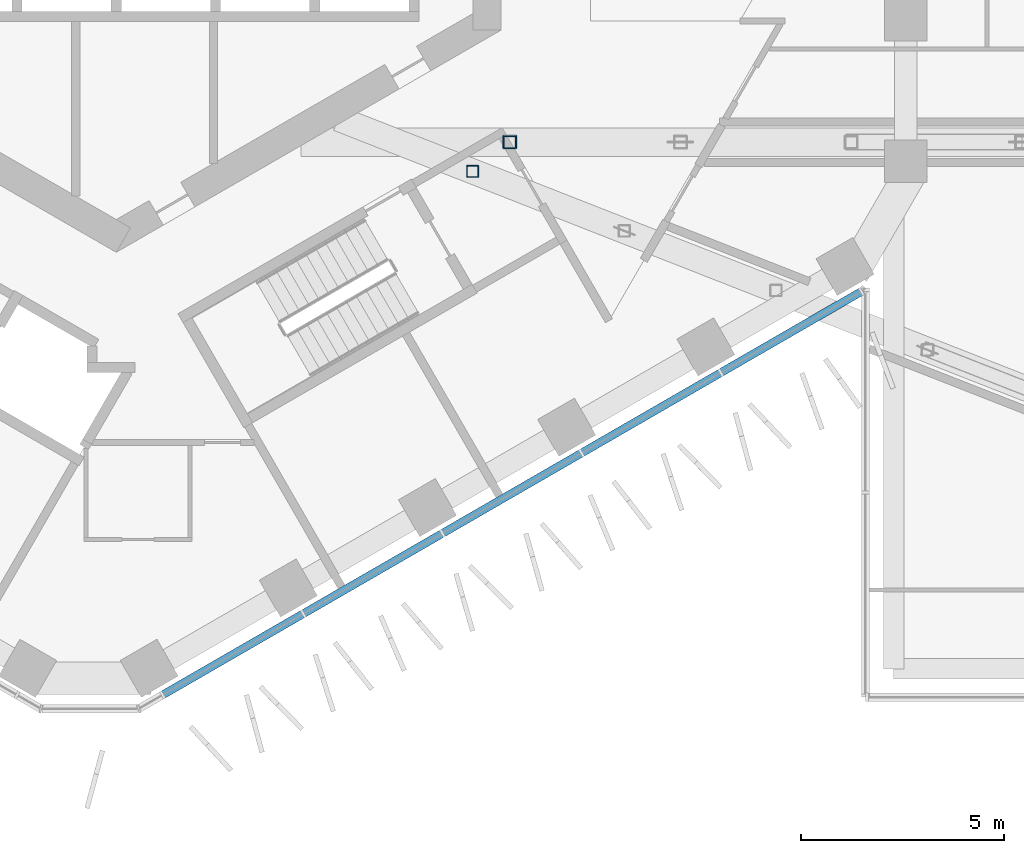
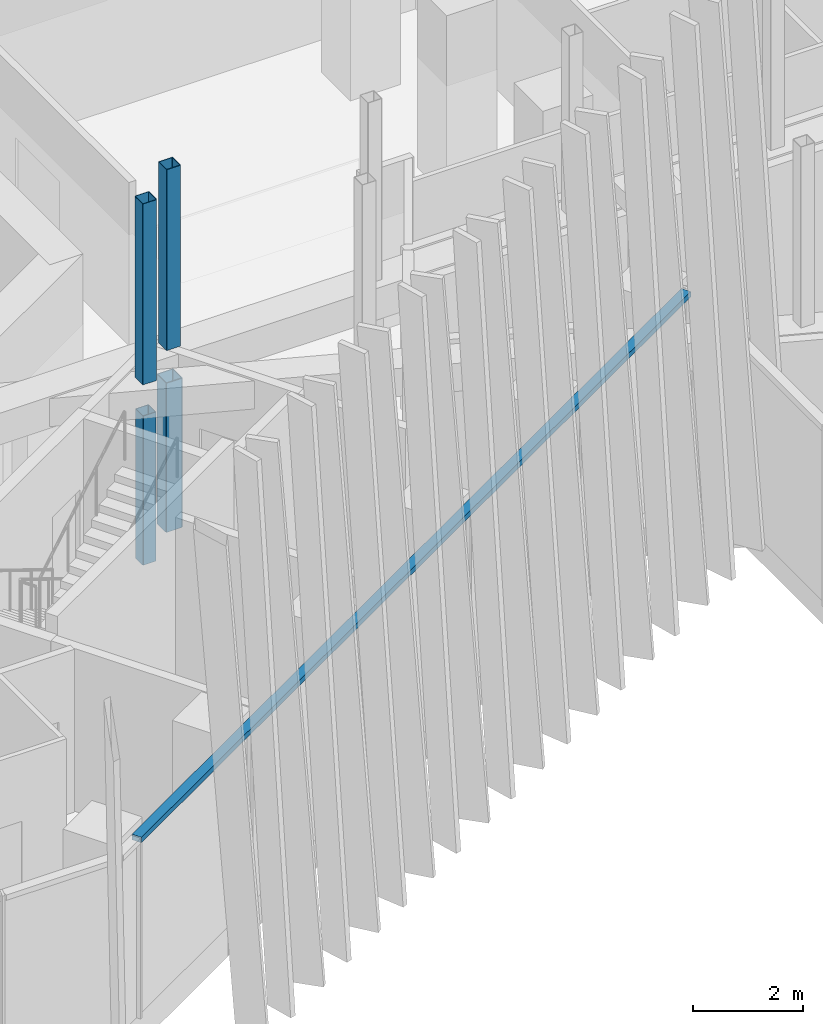
# One storey, part 3 of 28: 5 members, 1 element without a shape of its own.
"""IFC4 building model written with IfcOpenShell, lengths in metres."""

from ifc_helpers import new_model, si_unit, direction, frame, origin, origin_2d, place, context, subcontext, project, spatial, rectangle, hollow_rectangle, extrude, material, layer, layer_set, material_profile, profile_set, type_object, element, aggregate, save


model = new_model("IFC4")

# Units and contexts
model_context = context("Model", 3, precision=1e-05, world=origin(), true_north=direction((0.0, 1.0)))
body_context = subcontext(model_context, "Body", "Model", "MODEL_VIEW")
ifc_project = project(units=[si_unit("LENGTHUNIT", "METRE"), si_unit("AREAUNIT", "SQUARE_METRE"), si_unit("VOLUMEUNIT", "CUBIC_METRE"), si_unit("PLANEANGLEUNIT", "RADIAN"), si_unit("MASSUNIT", "GRAM", prefix="KILO")], contexts=[model_context])

# Site, building, storey
site_placement = place(None, origin())
site = spatial("IfcSite", under=ifc_project, at=site_placement, CompositionType="ELEMENT")
building_placement = place(site_placement, origin())
building = spatial("IfcBuilding", under=site, at=building_placement, Name="Ayvan Gate Tower", CompositionType="ELEMENT")
storey_placement = place(building_placement, frame((0.0, 0.0, 120.5)))
storey = spatial("IfcBuildingStorey", under=building, at=storey_placement, Name="L32", CompositionType="ELEMENT", Elevation=120.5)

# Members
ifc_material_1 = material(Name="Steel S460NH", Category="steel")
ifc_material_profile_1 = material_profile(ifc_material_1, hollow_rectangle(XDim=0.280029296875, YDim=0.280029296875, WallThickness=0.012451171875, InnerFilletRadius=0.012451171875, OuterFilletRadius=0.018798828125, at=origin_2d()), Name="RHS 280x280x12.5")
ifc_profile_set_1 = profile_set([ifc_material_profile_1], Name="Steel S460NH")
member_type_1 = type_object("IfcMemberType", Name="Sky bar end truss post B2 RHS 280x280x12.5", PredefinedType="POST", material=ifc_profile_set_1)
member_1_placement = place(storey_placement, frame((8.79541015625, -8.9736328125, -0.39990234375), z_axis=(0.0, 0.0, 1.0), x_axis=(1.0, 0.0, 0.0)))
element("IfcMember", 1, at=member_1_placement, inside=storey, type_object=member_type_1, Name="SBT2-1-P-1", PredefinedType="POST", context=body_context, shape_type="SweptSolid", body=[
    extrude(hollow_rectangle(XDim=0.280029296875, YDim=0.280029296875, WallThickness=0.012451171875, InnerFilletRadius=0.012451171875, OuterFilletRadius=0.018798828125, at=origin_2d()), origin(), (0.0, 0.0, 1.0), 3.2998046875),
])
ifc_material_profile_2 = material_profile(ifc_material_1, hollow_rectangle(XDim=0.35009765625, YDim=0.35009765625, WallThickness=0.01611328125, InnerFilletRadius=0.01611328125, OuterFilletRadius=0.02392578125, at=origin_2d()), Name="RHS 350x350x16")
ifc_profile_set_2 = profile_set([ifc_material_profile_2], Name="Steel S460NH")
member_type_2 = type_object("IfcMemberType", Name="Sky bar truss post B2 RHS 350x350x16", PredefinedType="POST", material=ifc_profile_set_2)
member_2_placement = place(storey_placement, frame((9.710693359375, -8.25, -0.39990234375), z_axis=(0.0, 0.0, 1.0), x_axis=(1.0, 0.0, 0.0)))
element("IfcMember", 2, at=member_2_placement, inside=storey, type_object=member_type_2, Name="SBT2-2-P-1", PredefinedType="POST", context=body_context, shape_type="SweptSolid", body=[
    extrude(hollow_rectangle(XDim=0.35009765625, YDim=0.35009765625, WallThickness=0.01611328125, InnerFilletRadius=0.01611328125, OuterFilletRadius=0.02392578125, at=origin_2d()), origin(), (0.0, 0.0, 1.0), 3.2998046875),
])
ifc_material_profile_3 = material_profile(ifc_material_1, hollow_rectangle(XDim=0.300048828125, YDim=0.300048828125, WallThickness=0.012451171875, InnerFilletRadius=0.012451171875, OuterFilletRadius=0.018798828125, at=origin_2d()), Name="RHS 300x300x12.5")
ifc_profile_set_3 = profile_set([ifc_material_profile_3], Name="Steel S460NH")
member_type_3 = type_object("IfcMemberType", Name="Sky bar upper post B2 RHS 300x300x12.5", PredefinedType="POST", material=ifc_profile_set_3)
for number, where, z_axis, x_axis, name in (
    (3, (8.79541015625, -8.9736328125, 3.60009765625), (0.0, 0.0, 1.0), (1.0, 0.0, 0.0), "SBT2-1-U-1"),
    (4, (9.710693359375, -8.25, 3.60009765625), (0.0, 0.0, 1.0), (1.0, 0.0, 0.0), "SBT2-2-U-1"),
):
    element("IfcMember", number, at=place(storey_placement, frame(where, z_axis=z_axis, x_axis=x_axis)), inside=storey, type_object=member_type_3, Name=name, PredefinedType="POST", context=body_context, shape_type="SweptSolid", body=[
        extrude(hollow_rectangle(XDim=0.300048828125, YDim=0.300048828125, WallThickness=0.012451171875, InnerFilletRadius=0.012451171875, OuterFilletRadius=0.018798828125, at=origin_2d()), origin(), (0.0, 0.0, 1.0), 4.0),
    ])

# Curtain wall, member
ifc_material_2 = material(Name="Bronze anodised aluminium", Category="aluminium")
ifc_layer = layer(ifc_material_2, 0.199951171875)
ifc_layer_set = layer_set([ifc_layer], Name="Bronze anodised aluminium")
curtain_wall_type = type_object("IfcCurtainWallType", Name="Stick curtain wall CW-1", PredefinedType="NOTDEFINED", material=ifc_layer_set)
curtain_wall_placement = place(storey_placement, origin())
curtain_wall = element("IfcCurtainWall", 5, at=curtain_wall_placement, inside=storey, type_object=curtain_wall_type, Name="Stick curtain wall CW-1 L32", PredefinedType="NOTDEFINED")
ifc_material_profile_4 = material_profile(ifc_material_2, rectangle(XDim=0.199951171875, YDim=0.1201171875, at=origin_2d()), Name="Stick curtain wall CW-1 transom 200 x 120")
ifc_profile_set_4 = profile_set([ifc_material_profile_4], Name="Bronze anodised aluminium")
member_type_4 = type_object("IfcMemberType", Name="Stick curtain wall CW-1 transom 200 x 120", PredefinedType="USERDEFINED", material=ifc_profile_set_4)
member_3_placement = place(storey_placement, frame((1.143310546875, -21.894287109375, 3.93994140625), z_axis=(0.866025525965, 0.499999788377, 0.0), x_axis=(-0.499999788377, 0.866025525965, 0.0)))
member_3 = element("IfcMember", 6, at=member_3_placement, type_object=member_type_4, Name="CW-1 transom 1", ObjectType="TRANSOM", PredefinedType="USERDEFINED", context=body_context, shape_type="SweptSolid", body=[
    extrude(rectangle(XDim=0.199951171875, YDim=0.1201171875, at=origin_2d()), origin(), (0.0, 0.0, 1.0), 19.9140625),
])
aggregate(curtain_wall, [member_3])

save(model, "model.ifc")
